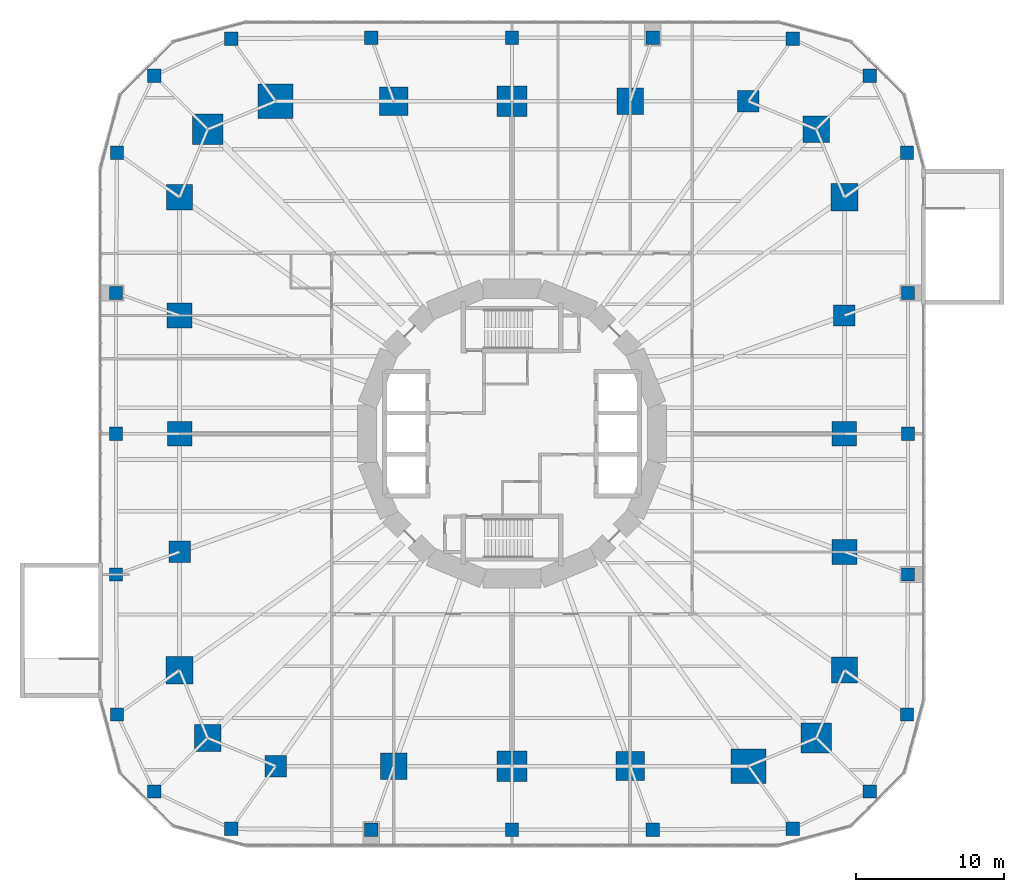
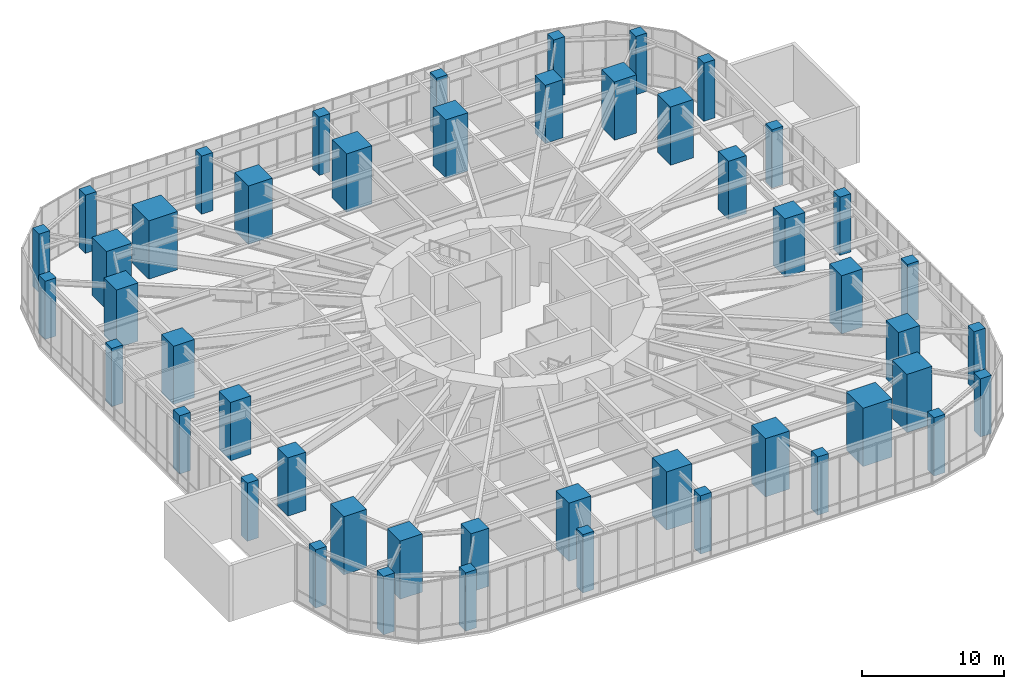
# One storey, part 1 of 24: 48 columns.
"""IFC4 building model written with IfcOpenShell, lengths in metres."""

from ifc_helpers import new_model, si_unit, direction, frame, origin, origin_2d, place, context, subcontext, project, spatial, rectangle, extrude, material, material_profile, profile_set, type_object, element, save


model = new_model("IFC4")

# Units and contexts
model_context = context("Model", 3, precision=1e-05, world=origin(), true_north=direction((0.0, 1.0)))
body_context = subcontext(model_context, "Body", "Model", "MODEL_VIEW")
ifc_project = project(units=[si_unit("LENGTHUNIT", "METRE"), si_unit("AREAUNIT", "SQUARE_METRE"), si_unit("VOLUMEUNIT", "CUBIC_METRE"), si_unit("PLANEANGLEUNIT", "RADIAN"), si_unit("MASSUNIT", "GRAM", prefix="KILO")], contexts=[model_context])

# Site, building, storey
site_placement = place(None, origin())
site = spatial("IfcSite", under=ifc_project, at=site_placement, CompositionType="ELEMENT")
building_placement = place(site_placement, origin())
building = spatial("IfcBuilding", under=site, at=building_placement, Name="Nakasero Lantern House", CompositionType="ELEMENT")
storey_placement = place(building_placement, frame((0.0, 0.0, 11.0)))
storey = spatial("IfcBuildingStorey", under=building, at=storey_placement, Name="L02", CompositionType="ELEMENT", Elevation=11.0)

# Columns
ifc_material_1 = material(Name="Concrete C50/60", Category="concrete")
ifc_material_profile_1 = material_profile(ifc_material_1, rectangle(XDim=1.800048828125, YDim=1.800048828125, at=origin_2d()), Name="RC 1800x1800")
ifc_profile_set_1 = profile_set([ifc_material_profile_1], Name="Concrete C50/60")
column_type_1 = type_object("IfcColumnType", Name="Mega column RC 1800x1800 C50/60", PredefinedType="COLUMN", material=ifc_profile_set_1)
for number, where, z_axis, x_axis, name in (
    (1, (20.59619140625, 20.59619140625, 0.0), (0.0, 0.0, 1.0), (1.0, 0.0, 0.0), "Column B1-C06 L02"),
    (2, (-20.59619140625, -20.59619140625, 0.0), (0.0, 0.0, 1.0), (1.0, 0.0, 0.0), "Column B1-C18 L02"),
):
    element("IfcColumn", number, at=place(storey_placement, frame(where, z_axis=z_axis, x_axis=x_axis)), inside=storey, type_object=column_type_1, Name=name, PredefinedType="COLUMN", context=body_context, shape_type="SweptSolid", body=[
        extrude(rectangle(XDim=1.800048828125, YDim=1.800048828125, at=origin_2d()), origin(), (0.0, 0.0, 1.0), 5.0),
    ])
ifc_material_2 = material(Name="Concrete C50/60", Category="concrete")
ifc_material_profile_2 = material_profile(ifc_material_2, rectangle(XDim=2.050048828125, YDim=2.050048828125, at=origin_2d()), Name="RC 2050x2050")
ifc_profile_set_2 = profile_set([ifc_material_profile_2], Name="Concrete C50/60")
column_type_2 = type_object("IfcColumnType", Name="Mega column RC 2050x2050 C50/60", PredefinedType="COLUMN", material=ifc_profile_set_2)
for number, where, z_axis, x_axis, name in (
    (3, (-20.59619140625, 20.59619140625, 0.0), (0.0, 0.0, 1.0), (1.0, 0.0, 0.0), "Column B1-C12 L02"),
    (4, (20.59619140625, -20.59619140625, 0.0), (0.0, 0.0, 1.0), (1.0, 0.0, 0.0), "Column B1-C24 L02"),
):
    element("IfcColumn", number, at=place(storey_placement, frame(where, z_axis=z_axis, x_axis=x_axis)), inside=storey, type_object=column_type_2, Name=name, PredefinedType="COLUMN", context=body_context, shape_type="SweptSolid", body=[
        extrude(rectangle(XDim=2.050048828125, YDim=2.050048828125, at=origin_2d()), origin(), (0.0, 0.0, 1.0), 5.0),
    ])
ifc_material_3 = material(Name="Concrete C50/60", Category="concrete")
ifc_material_profile_3 = material_profile(ifc_material_3, rectangle(XDim=1.449951171875, YDim=1.449951171875, at=origin_2d()), Name="RC 1450x1450")
ifc_profile_set_3 = profile_set([ifc_material_profile_3], Name="Concrete C50/60")
column_type_3 = type_object("IfcColumnType", Name="Ring column RC 1450x1450 C50/60", PredefinedType="COLUMN", material=ifc_profile_set_3)
for number, where, z_axis, x_axis, name in (
    (5, (22.5, 8.0, 0.0), (0.0, 0.0, 1.0), (1.0, 0.0, 0.0), "Column B1-C04 L02"),
    (6, (16.0, 22.5, 0.0), (0.0, 0.0, 1.0), (1.0, 0.0, 0.0), "Column B1-C07 L02"),
    (7, (-22.5, -8.0, 0.0), (0.0, 0.0, 1.0), (1.0, 0.0, 0.0), "Column B1-C16 L02"),
    (8, (-16.0, -22.5, 0.0), (0.0, 0.0, 1.0), (1.0, 0.0, 0.0), "Column B1-C19 L02"),
):
    element("IfcColumn", number, at=place(storey_placement, frame(where, z_axis=z_axis, x_axis=x_axis)), inside=storey, type_object=column_type_3, Name=name, PredefinedType="COLUMN", context=body_context, shape_type="SweptSolid", body=[
        extrude(rectangle(XDim=1.449951171875, YDim=1.449951171875, at=origin_2d()), origin(), (0.0, 0.0, 1.0), 5.0),
    ])
ifc_material_4 = material(Name="Concrete C50/60", Category="concrete")
ifc_material_profile_4 = material_profile(ifc_material_4, rectangle(XDim=1.64990234375, YDim=1.64990234375, at=origin_2d()), Name="RC 1650x1650")
ifc_profile_set_4 = profile_set([ifc_material_profile_4], Name="Concrete C50/60")
column_type_4 = type_object("IfcColumnType", Name="Ring column RC 1650x1650 C50/60", PredefinedType="COLUMN", material=ifc_profile_set_4)
for number, where, z_axis, x_axis, name in (
    (9, (22.5, 0.0, 0.0), (0.0, 0.0, 1.0), (1.0, 0.0, 0.0), "Column B1-C03 L02"),
    (10, (-22.5, 0.0, 0.0), (0.0, 0.0, 1.0), (1.0, 0.0, 0.0), "Column B1-C15 L02"),
):
    element("IfcColumn", number, at=place(storey_placement, frame(where, z_axis=z_axis, x_axis=x_axis)), inside=storey, type_object=column_type_4, Name=name, PredefinedType="COLUMN", context=body_context, shape_type="SweptSolid", body=[
        extrude(rectangle(XDim=1.64990234375, YDim=1.64990234375, at=origin_2d()), origin(), (0.0, 0.0, 1.0), 5.0),
    ])
ifc_material_5 = material(Name="Concrete C50/60", Category="concrete")
ifc_material_profile_5 = material_profile(ifc_material_5, rectangle(XDim=1.699951171875, YDim=1.699951171875, at=origin_2d()), Name="RC 1700x1700")
ifc_profile_set_5 = profile_set([ifc_material_profile_5], Name="Concrete C50/60")
column_type_5 = type_object("IfcColumnType", Name="Ring column RC 1700x1700 C50/60", PredefinedType="COLUMN", material=ifc_profile_set_5)
for number, where, z_axis, x_axis, name in (
    (11, (22.5, -8.0, 0.0), (0.0, 0.0, 1.0), (1.0, 0.0, 0.0), "Column B1-C02 L02"),
    (12, (-22.5, 8.0, 0.0), (0.0, 0.0, 1.0), (1.0, 0.0, 0.0), "Column B1-C14 L02"),
):
    element("IfcColumn", number, at=place(storey_placement, frame(where, z_axis=z_axis, x_axis=x_axis)), inside=storey, type_object=column_type_5, Name=name, PredefinedType="COLUMN", context=body_context, shape_type="SweptSolid", body=[
        extrude(rectangle(XDim=1.699951171875, YDim=1.699951171875, at=origin_2d()), origin(), (0.0, 0.0, 1.0), 5.0),
    ])
ifc_material_6 = material(Name="Concrete C50/60", Category="concrete")
ifc_material_profile_6 = material_profile(ifc_material_6, rectangle(XDim=1.75, YDim=1.75, at=origin_2d()), Name="RC 1750x1750")
ifc_profile_set_6 = profile_set([ifc_material_profile_6], Name="Concrete C50/60")
column_type_6 = type_object("IfcColumnType", Name="Ring column RC 1750x1750 C50/60", PredefinedType="COLUMN", material=ifc_profile_set_6)
for number, where, z_axis, x_axis, name in (
    (13, (22.5, -16.0, 0.0), (0.0, 0.0, 1.0), (1.0, 0.0, 0.0), "Column B1-C01 L02"),
    (14, (-22.5, 16.0, 0.0), (0.0, 0.0, 1.0), (1.0, 0.0, 0.0), "Column B1-C13 L02"),
):
    element("IfcColumn", number, at=place(storey_placement, frame(where, z_axis=z_axis, x_axis=x_axis)), inside=storey, type_object=column_type_6, Name=name, PredefinedType="COLUMN", context=body_context, shape_type="SweptSolid", body=[
        extrude(rectangle(XDim=1.75, YDim=1.75, at=origin_2d()), origin(), (0.0, 0.0, 1.0), 5.0),
    ])
ifc_material_7 = material(Name="Concrete C50/60", Category="concrete")
ifc_material_profile_7 = material_profile(ifc_material_7, rectangle(XDim=1.800048828125, YDim=1.800048828125, at=origin_2d()), Name="RC 1800x1800")
ifc_profile_set_7 = profile_set([ifc_material_profile_7], Name="Concrete C50/60")
column_type_7 = type_object("IfcColumnType", Name="Ring column RC 1800x1800 C50/60", PredefinedType="COLUMN", material=ifc_profile_set_7)
for number, where, z_axis, x_axis, name in (
    (15, (8.0, 22.5, 0.0), (0.0, 0.0, 1.0), (1.0, 0.0, 0.0), "Column B1-C08 L02"),
    (16, (-8.0, -22.5, 0.0), (0.0, 0.0, 1.0), (1.0, 0.0, 0.0), "Column B1-C20 L02"),
):
    element("IfcColumn", number, at=place(storey_placement, frame(where, z_axis=z_axis, x_axis=x_axis)), inside=storey, type_object=column_type_7, Name=name, PredefinedType="COLUMN", context=body_context, shape_type="SweptSolid", body=[
        extrude(rectangle(XDim=1.800048828125, YDim=1.800048828125, at=origin_2d()), origin(), (0.0, 0.0, 1.0), 5.0),
    ])
ifc_material_8 = material(Name="Concrete C50/60", Category="concrete")
ifc_material_profile_8 = material_profile(ifc_material_8, rectangle(XDim=1.85009765625, YDim=1.85009765625, at=origin_2d()), Name="RC 1850x1850")
ifc_profile_set_8 = profile_set([ifc_material_profile_8], Name="Concrete C50/60")
column_type_8 = type_object("IfcColumnType", Name="Ring column RC 1850x1850 C50/60", PredefinedType="COLUMN", material=ifc_profile_set_8)
for number, where, z_axis, x_axis, name in (
    (17, (22.5, 16.0, 0.0), (0.0, 0.0, 1.0), (1.0, 0.0, 0.0), "Column B1-C05 L02"),
    (18, (-22.5, -16.0, 0.0), (0.0, 0.0, 1.0), (1.0, 0.0, 0.0), "Column B1-C17 L02"),
):
    element("IfcColumn", number, at=place(storey_placement, frame(where, z_axis=z_axis, x_axis=x_axis)), inside=storey, type_object=column_type_8, Name=name, PredefinedType="COLUMN", context=body_context, shape_type="SweptSolid", body=[
        extrude(rectangle(XDim=1.85009765625, YDim=1.85009765625, at=origin_2d()), origin(), (0.0, 0.0, 1.0), 5.0),
    ])
ifc_material_9 = material(Name="Concrete C50/60", Category="concrete")
ifc_material_profile_9 = material_profile(ifc_material_9, rectangle(XDim=1.949951171875, YDim=1.949951171875, at=origin_2d()), Name="RC 1950x1950")
ifc_profile_set_9 = profile_set([ifc_material_profile_9], Name="Concrete C50/60")
column_type_9 = type_object("IfcColumnType", Name="Ring column RC 1950x1950 C50/60", PredefinedType="COLUMN", material=ifc_profile_set_9)
for number, where, z_axis, x_axis, name in (
    (19, (-8.0, 22.5, 0.0), (0.0, 0.0, 1.0), (1.0, 0.0, 0.0), "Column B1-C10 L02"),
    (20, (8.0, -22.5, 0.0), (0.0, 0.0, 1.0), (1.0, 0.0, 0.0), "Column B1-C22 L02"),
):
    element("IfcColumn", number, at=place(storey_placement, frame(where, z_axis=z_axis, x_axis=x_axis)), inside=storey, type_object=column_type_9, Name=name, PredefinedType="COLUMN", context=body_context, shape_type="SweptSolid", body=[
        extrude(rectangle(XDim=1.949951171875, YDim=1.949951171875, at=origin_2d()), origin(), (0.0, 0.0, 1.0), 5.0),
    ])
ifc_material_10 = material(Name="Concrete C50/60", Category="concrete")
ifc_material_profile_10 = material_profile(ifc_material_10, rectangle(XDim=2.050048828125, YDim=2.050048828125, at=origin_2d()), Name="RC 2050x2050")
ifc_profile_set_10 = profile_set([ifc_material_profile_10], Name="Concrete C50/60")
column_type_10 = type_object("IfcColumnType", Name="Ring column RC 2050x2050 C50/60", PredefinedType="COLUMN", material=ifc_profile_set_10)
for number, where, z_axis, x_axis, name in (
    (21, (0.0, 22.5, 0.0), (0.0, 0.0, 1.0), (1.0, 0.0, 0.0), "Column B1-C09 L02"),
    (22, (0.0, -22.5, 0.0), (0.0, 0.0, 1.0), (1.0, 0.0, 0.0), "Column B1-C21 L02"),
):
    element("IfcColumn", number, at=place(storey_placement, frame(where, z_axis=z_axis, x_axis=x_axis)), inside=storey, type_object=column_type_10, Name=name, PredefinedType="COLUMN", context=body_context, shape_type="SweptSolid", body=[
        extrude(rectangle(XDim=2.050048828125, YDim=2.050048828125, at=origin_2d()), origin(), (0.0, 0.0, 1.0), 5.0),
    ])
ifc_material_11 = material(Name="Concrete C50/60", Category="concrete")
ifc_material_profile_11 = material_profile(ifc_material_11, rectangle(XDim=2.35009765625, YDim=2.35009765625, at=origin_2d()), Name="RC 2350x2350")
ifc_profile_set_11 = profile_set([ifc_material_profile_11], Name="Concrete C50/60")
column_type_11 = type_object("IfcColumnType", Name="Ring column RC 2350x2350 C50/60", PredefinedType="COLUMN", material=ifc_profile_set_11)
for number, where, z_axis, x_axis, name in (
    (23, (-16.0, 22.5, 0.0), (0.0, 0.0, 1.0), (1.0, 0.0, 0.0), "Column B1-C11 L02"),
    (24, (16.0, -22.5, 0.0), (0.0, 0.0, 1.0), (1.0, 0.0, 0.0), "Column B1-C23 L02"),
):
    element("IfcColumn", number, at=place(storey_placement, frame(where, z_axis=z_axis, x_axis=x_axis)), inside=storey, type_object=column_type_11, Name=name, PredefinedType="COLUMN", context=body_context, shape_type="SweptSolid", body=[
        extrude(rectangle(XDim=2.35009765625, YDim=2.35009765625, at=origin_2d()), origin(), (0.0, 0.0, 1.0), 5.0),
    ])
ifc_material_12 = material(Name="Concrete C50/60", Category="concrete")
ifc_material_profile_12 = material_profile(ifc_material_12, rectangle(XDim=0.89990234375, YDim=0.89990234375, at=origin_2d()), Name="RC 900x900")
ifc_profile_set_12 = profile_set([ifc_material_profile_12], Name="Concrete C50/60")
column_type_12 = type_object("IfcColumnType", Name="Ring column RC 900x900 C50/60", PredefinedType="COLUMN", material=ifc_profile_set_12)
for number, where, z_axis, x_axis, name in (
    (25, (26.733642578125, -19.0107421875, 0.0), (0.0, 0.0, 1.0), (1.0, 0.0, 0.0), "Column POD-C01 L02"),
    (26, (26.800048828125, -9.52880859375, 0.0), (0.0, 0.0, 1.0), (1.0, 0.0, 0.0), "Column POD-C02 L02"),
    (27, (26.800048828125, 0.0, 0.0), (0.0, 0.0, 1.0), (1.0, 0.0, 0.0), "Column POD-C03 L02"),
    (28, (26.800048828125, 9.52880859375, 0.0), (0.0, 0.0, 1.0), (1.0, 0.0, 0.0), "Column POD-C04 L02"),
    (29, (26.733642578125, 19.0107421875, 0.0), (0.0, 0.0, 1.0), (1.0, 0.0, 0.0), "Column POD-C05 L02"),
    (30, (24.22265625, 24.22265625, 0.0), (0.0, 0.0, 1.0), (1.0, 0.0, 0.0), "Column POD-C06 L02"),
    (31, (19.0107421875, 26.733642578125, 0.0), (0.0, 0.0, 1.0), (1.0, 0.0, 0.0), "Column POD-C07 L02"),
    (32, (9.52880859375, 26.800048828125, 0.0), (0.0, 0.0, 1.0), (1.0, 0.0, 0.0), "Column POD-C08 L02"),
    (33, (0.0, 26.800048828125, 0.0), (0.0, 0.0, 1.0), (1.0, 0.0, 0.0), "Column POD-C09 L02"),
    (34, (-9.52880859375, 26.800048828125, 0.0), (0.0, 0.0, 1.0), (1.0, 0.0, 0.0), "Column POD-C10 L02"),
    (35, (-19.0107421875, 26.733642578125, 0.0), (0.0, 0.0, 1.0), (1.0, 0.0, 0.0), "Column POD-C11 L02"),
    (36, (-24.22265625, 24.22265625, 0.0), (0.0, 0.0, 1.0), (1.0, 0.0, 0.0), "Column POD-C12 L02"),
    (37, (-26.733642578125, 19.0107421875, 0.0), (0.0, 0.0, 1.0), (1.0, 0.0, 0.0), "Column POD-C13 L02"),
    (38, (-26.800048828125, 9.52880859375, 0.0), (0.0, 0.0, 1.0), (1.0, 0.0, 0.0), "Column POD-C14 L02"),
    (39, (-26.800048828125, 0.0, 0.0), (0.0, 0.0, 1.0), (1.0, 0.0, 0.0), "Column POD-C15 L02"),
    (40, (-26.800048828125, -9.52880859375, 0.0), (0.0, 0.0, 1.0), (1.0, 0.0, 0.0), "Column POD-C16 L02"),
    (41, (-26.733642578125, -19.0107421875, 0.0), (0.0, 0.0, 1.0), (1.0, 0.0, 0.0), "Column POD-C17 L02"),
    (42, (-24.22265625, -24.22265625, 0.0), (0.0, 0.0, 1.0), (1.0, 0.0, 0.0), "Column POD-C18 L02"),
    (43, (-19.0107421875, -26.733642578125, 0.0), (0.0, 0.0, 1.0), (1.0, 0.0, 0.0), "Column POD-C19 L02"),
    (44, (-9.52880859375, -26.800048828125, 0.0), (0.0, 0.0, 1.0), (1.0, 0.0, 0.0), "Column POD-C20 L02"),
    (45, (0.0, -26.800048828125, 0.0), (0.0, 0.0, 1.0), (1.0, 0.0, 0.0), "Column POD-C21 L02"),
    (46, (9.52880859375, -26.800048828125, 0.0), (0.0, 0.0, 1.0), (1.0, 0.0, 0.0), "Column POD-C22 L02"),
    (47, (19.0107421875, -26.733642578125, 0.0), (0.0, 0.0, 1.0), (1.0, 0.0, 0.0), "Column POD-C23 L02"),
    (48, (24.22265625, -24.22265625, 0.0), (0.0, 0.0, 1.0), (1.0, 0.0, 0.0), "Column POD-C24 L02"),
):
    element("IfcColumn", number, at=place(storey_placement, frame(where, z_axis=z_axis, x_axis=x_axis)), inside=storey, type_object=column_type_12, Name=name, PredefinedType="COLUMN", context=body_context, shape_type="SweptSolid", body=[
        extrude(rectangle(XDim=0.89990234375, YDim=0.89990234375, at=origin_2d()), origin(), (0.0, 0.0, 1.0), 5.0),
    ])

save(model, "model.ifc")
